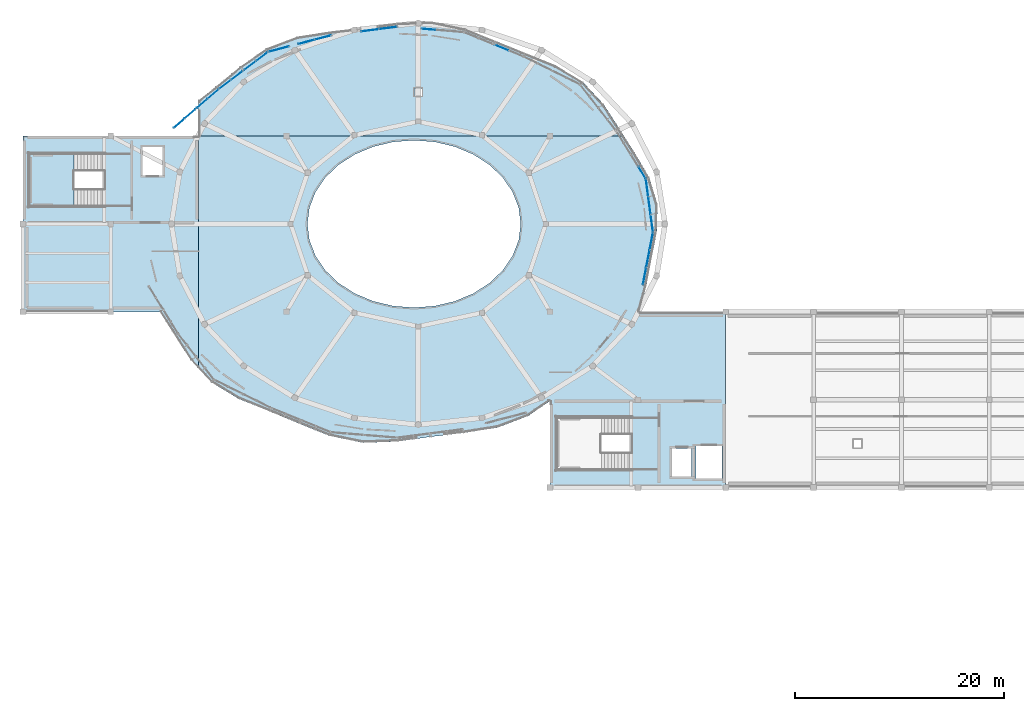
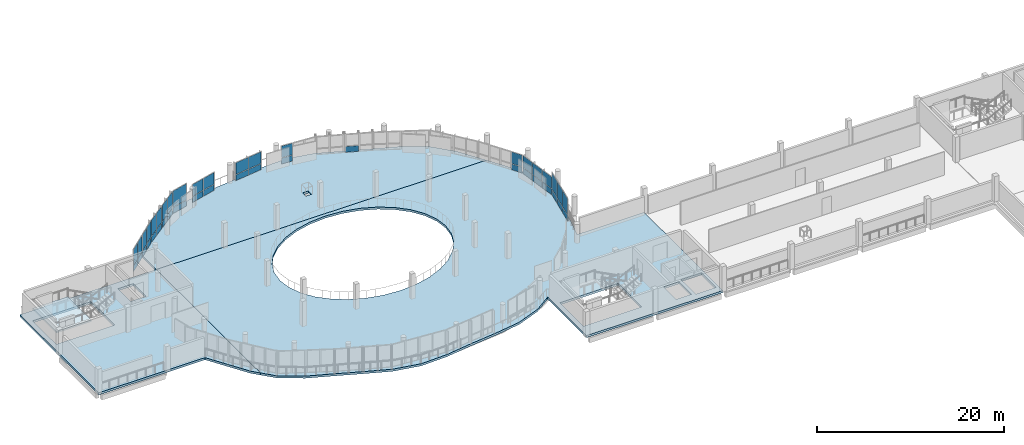
# One storey, part 28 of 43: 43 plates, 4 slabs, 13 elements without a shape of their own.
"""IFC4 building model written with IfcOpenShell, lengths in metres."""

from ifc_helpers import new_model, si_unit, derived_unit, direction, frame, origin, origin_2d, place, context, subcontext, project, spatial, polyline, rectangle, outline, extrude, material, layer, layer_set, type_object, element, aggregate, save


model = new_model("IFC4")

# Units and contexts
model_context = context("Model", 3, precision=1e-05, world=origin(), true_north=direction((0.0, 1.0)))
body_context = subcontext(model_context, "Body", "Model", "MODEL_VIEW")
ifc_project = project(units=[si_unit("LENGTHUNIT", "METRE"), si_unit("AREAUNIT", "SQUARE_METRE"), si_unit("VOLUMEUNIT", "CUBIC_METRE"), si_unit("PLANEANGLEUNIT", "RADIAN"), si_unit("MASSUNIT", "GRAM", prefix="KILO"), derived_unit("THERMALTRANSMITTANCEUNIT", [(si_unit("POWERUNIT", "WATT"), 1), (si_unit("LENGTHUNIT", "METRE"), -2), (si_unit("THERMODYNAMICTEMPERATUREUNIT", "KELVIN"), -1)])], contexts=[model_context])

# Site, building, storey
site_placement = place(None, origin())
site = spatial("IfcSite", under=ifc_project, at=site_placement, CompositionType="ELEMENT")
building_placement = place(site_placement, origin())
building = spatial("IfcBuilding", under=site, at=building_placement, Name="Elbkamm Science Centre", CompositionType="ELEMENT")
storey_placement = place(building_placement, frame((0.0, 0.0, 18.300048828125)))
storey = spatial("IfcBuildingStorey", under=building, at=storey_placement, Name="L04", CompositionType="ELEMENT", Elevation=18.300048828125)

# Curtain wall, plates
ifc_material_1 = material(Name="Powder-coated aluminium and triple low-E glazing", Category="aluminium")
ifc_layer_1 = layer(ifc_material_1, 0.159912109375)
ifc_layer_set_1 = layer_set([ifc_layer_1], Name="Powder-coated aluminium and triple low-E glazing")
curtain_wall_type_1 = type_object("IfcCurtainWallType", Name="CW-UNIT-5180x2460", PredefinedType="USERDEFINED", material=ifc_layer_set_1)
curtain_wall_1_placement = place(storey_placement, origin())
curtain_wall_1 = element("IfcCurtainWall", 1, at=curtain_wall_1_placement, inside=storey, type_object=curtain_wall_type_1, Name="L04 Unitised Curtain Wall 075", ObjectType="UNITISED CURTAIN WALL", PredefinedType="USERDEFINED")
ifc_material_2 = material(Name="Triple solar-control insulated safety glass", Category="glass")
ifc_layer_2 = layer(ifc_material_2, 0.031982421875)
ifc_layer_set_2 = layer_set([ifc_layer_2], Name="Triple solar-control insulated safety glass")
plate_type = type_object("IfcPlateType", Name="CW-PNL-32", PredefinedType="CURTAIN_PANEL", material=ifc_layer_set_2)
plate_1_placement = place(storey_placement, frame((85.333740234375, 67.26904296875, 0.06005859375), z_axis=(0.0, 0.0, 1.0), x_axis=(-0.132724873281, 0.991152918581, 0.0)))
plate_1 = element("IfcPlate", 2, at=plate_1_placement, type_object=plate_type, Name="CW-032 panel 1.1", PredefinedType="CURTAIN_PANEL", context=body_context, shape_type="SweptSolid", body=[
    extrude(rectangle(XDim=1.633544921875, YDim=0.031982421875, at=origin_2d()), origin(), (0.0, 0.0, 1.0), 0.760009765625),
])
plate_2_placement = place(storey_placement, frame((85.333740234375, 67.26904296875, 0.8798828125), z_axis=(0.0, 0.0, 1.0), x_axis=(-0.132724873281, 0.991152918581, 0.0)))
plate_2 = element("IfcPlate", 3, at=plate_2_placement, type_object=plate_type, Name="CW-032 panel 1.2", PredefinedType="CURTAIN_PANEL", context=body_context, shape_type="SweptSolid", body=[
    extrude(rectangle(XDim=1.633544921875, YDim=0.031982421875, at=origin_2d()), origin(), (0.0, 0.0, 1.0), 1.510009765625),
])
plate_3_placement = place(storey_placement, frame((85.10693359375, 68.962646484375, 0.06005859375), z_axis=(0.0, 0.0, 1.0), x_axis=(-0.132724873281, 0.991152918581, 0.0)))
plate_3 = element("IfcPlate", 4, at=plate_3_placement, type_object=plate_type, Name="CW-032 panel 2.1", PredefinedType="CURTAIN_PANEL", context=body_context, shape_type="SweptSolid", body=[
    extrude(rectangle(XDim=1.66357421875, YDim=0.031982421875, at=origin_2d()), origin(), (0.0, 0.0, 1.0), 0.760009765625),
])
plate_4_placement = place(storey_placement, frame((85.10693359375, 68.962646484375, 0.8798828125), z_axis=(0.0, 0.0, 1.0), x_axis=(-0.132724873281, 0.991152918581, 0.0)))
plate_4 = element("IfcPlate", 5, at=plate_4_placement, type_object=plate_type, Name="CW-032 panel 2.2", PredefinedType="CURTAIN_PANEL", context=body_context, shape_type="SweptSolid", body=[
    extrude(rectangle(XDim=1.66357421875, YDim=0.031982421875, at=origin_2d()), origin(), (0.0, 0.0, 1.0), 1.510009765625),
])
plate_5_placement = place(storey_placement, frame((84.880126953125, 70.656005859375, 0.06005859375), z_axis=(0.0, 0.0, 1.0), x_axis=(-0.132724873281, 0.991152918581, 0.0)))
plate_5 = element("IfcPlate", 6, at=plate_5_placement, type_object=plate_type, Name="CW-032 panel 3.1", PredefinedType="CURTAIN_PANEL", context=body_context, shape_type="SweptSolid", body=[
    extrude(rectangle(XDim=1.633544921875, YDim=0.031982421875, at=origin_2d()), origin(), (0.0, 0.0, 1.0), 0.760009765625),
])
plate_6_placement = place(storey_placement, frame((84.880126953125, 70.656005859375, 0.8798828125), z_axis=(0.0, 0.0, 1.0), x_axis=(-0.132724873281, 0.991152918581, 0.0)))
plate_6 = element("IfcPlate", 7, at=plate_6_placement, type_object=plate_type, Name="CW-032 panel 3.2", PredefinedType="CURTAIN_PANEL", context=body_context, shape_type="SweptSolid", body=[
    extrude(rectangle(XDim=1.633544921875, YDim=0.031982421875, at=origin_2d()), origin(), (0.0, 0.0, 1.0), 1.510009765625),
])
aggregate(curtain_wall_1, [plate_1, plate_2, plate_3, plate_4, plate_5, plate_6])

ifc_layer_3 = layer(ifc_material_1, 0.159912109375)
ifc_layer_set_3 = layer_set([ifc_layer_3], Name="Powder-coated aluminium and triple low-E glazing")
curtain_wall_type_2 = type_object("IfcCurtainWallType", Name="CW-UNIT-5360x2460", PredefinedType="USERDEFINED", material=ifc_layer_set_3)
curtain_wall_2_placement = place(storey_placement, origin())
curtain_wall_2 = element("IfcCurtainWall", 8, at=curtain_wall_2_placement, inside=storey, type_object=curtain_wall_type_2, Name="L04 Unitised Curtain Wall 076", ObjectType="UNITISED CURTAIN WALL", PredefinedType="USERDEFINED")
plate_7_placement = place(storey_placement, frame((84.403564453125, 72.10888671875, 0.06005859375), z_axis=(0.0, 0.0, 1.0), x_axis=(-0.524926723085, 0.85114742283, 0.0)))
plate_7 = element("IfcPlate", 9, at=plate_7_placement, type_object=plate_type, Name="CW-033 panel 1.1", PredefinedType="CURTAIN_PANEL", context=body_context, shape_type="SweptSolid", body=[
    extrude(rectangle(XDim=1.251708984375, YDim=0.031982421875, at=origin_2d()), origin(), (0.0, 0.0, 1.0), 0.760009765625),
])
plate_8_placement = place(storey_placement, frame((84.403564453125, 72.10888671875, 0.8798828125), z_axis=(0.0, 0.0, 1.0), x_axis=(-0.524926723085, 0.85114742283, 0.0)))
plate_8 = element("IfcPlate", 10, at=plate_8_placement, type_object=plate_type, Name="CW-033 panel 1.2", PredefinedType="CURTAIN_PANEL", context=body_context, shape_type="SweptSolid", body=[
    extrude(rectangle(XDim=1.251708984375, YDim=0.031982421875, at=origin_2d()), origin(), (0.0, 0.0, 1.0), 1.510009765625),
])
aggregate(curtain_wall_2, [plate_7, plate_8])

# Curtain wall, plate
ifc_layer_4 = layer(ifc_material_1, 0.159912109375)
ifc_layer_set_4 = layer_set([ifc_layer_4], Name="Powder-coated aluminium and triple low-E glazing")
curtain_wall_type_3 = type_object("IfcCurtainWallType", Name="CW-UNIT-3060x2460", PredefinedType="USERDEFINED", material=ifc_layer_set_4)
curtain_wall_3_placement = place(storey_placement, origin())
curtain_wall_3 = element("IfcCurtainWall", 11, at=curtain_wall_3_placement, inside=storey, type_object=curtain_wall_type_3, Name="L04 Unitised Curtain Wall 080", ObjectType="UNITISED CURTAIN WALL", PredefinedType="USERDEFINED")
plate_9_placement = place(storey_placement, frame((70.98779296875, 84.049072265625, 0.06005859375), z_axis=(0.0, 0.0, 1.0), x_axis=(-0.925805063176, 0.378001302905, 0.0)))
plate_9 = element("IfcPlate", 12, at=plate_9_placement, type_object=plate_type, Name="CW-036 panel 2.1", PredefinedType="CURTAIN_PANEL", context=body_context, shape_type="SweptSolid", body=[
    extrude(rectangle(XDim=1.436279296875, YDim=0.031982421875, at=origin_2d()), origin(), (0.0, 0.0, 1.0), 0.760009765625),
])
aggregate(curtain_wall_3, [plate_9])

# Curtain wall, plates
ifc_layer_5 = layer(ifc_material_1, 0.159912109375)
ifc_layer_set_5 = layer_set([ifc_layer_5], Name="Powder-coated aluminium and triple low-E glazing")
curtain_wall_type_4 = type_object("IfcCurtainWallType", Name="CW-UNIT-4080x2460", PredefinedType="USERDEFINED", material=ifc_layer_set_5)
curtain_wall_4_placement = place(storey_placement, origin())
curtain_wall_4 = element("IfcCurtainWall", 13, at=curtain_wall_4_placement, inside=storey, type_object=curtain_wall_type_4, Name="L04 Unitised Curtain Wall 082", ObjectType="UNITISED CURTAIN WALL", PredefinedType="USERDEFINED")
plate_10_placement = place(storey_placement, frame((63.99365234375, 85.80419921875, 0.06005859375), z_axis=(0.0, 0.0, 1.0), x_axis=(-0.996648257445, 0.081806179051, 0.0)))
plate_10 = element("IfcPlate", 14, at=plate_10_placement, type_object=plate_type, Name="CW-037 panel 3.1", PredefinedType="CURTAIN_PANEL", context=body_context, shape_type="SweptSolid", body=[
    extrude(rectangle(XDim=1.27001953125, YDim=0.031982421875, at=origin_2d()), origin(), (0.0, 0.0, 1.0), 0.760009765625),
])
plate_11_placement = place(storey_placement, frame((63.99365234375, 85.80419921875, 0.8798828125), z_axis=(0.0, 0.0, 1.0), x_axis=(-0.996648257445, 0.081806179051, 0.0)))
plate_11 = element("IfcPlate", 15, at=plate_11_placement, type_object=plate_type, Name="CW-037 panel 3.2", PredefinedType="CURTAIN_PANEL", context=body_context, shape_type="SweptSolid", body=[
    extrude(rectangle(XDim=1.27001953125, YDim=0.031982421875, at=origin_2d()), origin(), (0.0, 0.0, 1.0), 1.510009765625),
])
aggregate(curtain_wall_4, [plate_10, plate_11])

ifc_layer_6 = layer(ifc_material_1, 0.159912109375)
ifc_layer_set_6 = layer_set([ifc_layer_6], Name="Powder-coated aluminium and triple low-E glazing")
curtain_wall_type_5 = type_object("IfcCurtainWallType", Name="CW-UNIT-3540x2460", PredefinedType="USERDEFINED", material=ifc_layer_set_6)
curtain_wall_5_placement = place(storey_placement, origin())
curtain_wall_5 = element("IfcCurtainWall", 16, at=curtain_wall_5_placement, inside=storey, type_object=curtain_wall_type_5, Name="L04 Unitised Curtain Wall 083", ObjectType="UNITISED CURTAIN WALL", PredefinedType="USERDEFINED")
plate_12_placement = place(storey_placement, frame((60.10791015625, 85.93408203125, 0.06005859375), z_axis=(0.0, 0.0, 1.0), x_axis=(-0.991677134975, -0.128749601818, 0.0)))
plate_12 = element("IfcPlate", 17, at=plate_12_placement, type_object=plate_type, Name="CW-038 panel 1.1", PredefinedType="CURTAIN_PANEL", context=body_context, shape_type="SweptSolid", body=[
    extrude(rectangle(XDim=1.679443359375, YDim=0.031982421875, at=origin_2d()), origin(), (0.0, 0.0, 1.0), 0.760009765625),
])
plate_13_placement = place(storey_placement, frame((60.10791015625, 85.93408203125, 0.8798828125), z_axis=(0.0, 0.0, 1.0), x_axis=(-0.991677134975, -0.128749601818, 0.0)))
plate_13 = element("IfcPlate", 18, at=plate_13_placement, type_object=plate_type, Name="CW-038 panel 1.2", PredefinedType="CURTAIN_PANEL", context=body_context, shape_type="SweptSolid", body=[
    extrude(rectangle(XDim=1.679443359375, YDim=0.031982421875, at=origin_2d()), origin(), (0.0, 0.0, 1.0), 1.510009765625),
])
plate_14_placement = place(storey_placement, frame((58.383056640625, 85.710205078125, 0.06005859375), z_axis=(0.0, 0.0, 1.0), x_axis=(-0.991677134975, -0.128749601818, 0.0)))
plate_14 = element("IfcPlate", 19, at=plate_14_placement, type_object=plate_type, Name="CW-038 panel 2.1", PredefinedType="CURTAIN_PANEL", context=body_context, shape_type="SweptSolid", body=[
    extrude(rectangle(XDim=1.679443359375, YDim=0.031982421875, at=origin_2d()), origin(), (0.0, 0.0, 1.0), 0.760009765625),
])
plate_15_placement = place(storey_placement, frame((58.383056640625, 85.710205078125, 0.8798828125), z_axis=(0.0, 0.0, 1.0), x_axis=(-0.991677134975, -0.128749601818, 0.0)))
plate_15 = element("IfcPlate", 20, at=plate_15_placement, type_object=plate_type, Name="CW-038 panel 2.2", PredefinedType="CURTAIN_PANEL", context=body_context, shape_type="SweptSolid", body=[
    extrude(rectangle(XDim=1.679443359375, YDim=0.031982421875, at=origin_2d()), origin(), (0.0, 0.0, 1.0), 1.510009765625),
])
aggregate(curtain_wall_5, [plate_12, plate_13, plate_14, plate_15])

ifc_layer_7 = layer(ifc_material_1, 0.159912109375)
ifc_layer_set_7 = layer_set([ifc_layer_7], Name="Powder-coated aluminium and triple low-E glazing")
curtain_wall_type_6 = type_object("IfcCurtainWallType", Name="CW-UNIT-3360x2460", PredefinedType="USERDEFINED", material=ifc_layer_set_7)
curtain_wall_6_placement = place(storey_placement, origin())
curtain_wall_6 = element("IfcCurtainWall", 21, at=curtain_wall_6_placement, inside=storey, type_object=curtain_wall_type_6, Name="L04 Unitised Curtain Wall 084", ObjectType="UNITISED CURTAIN WALL", PredefinedType="USERDEFINED")
plate_16_placement = place(storey_placement, frame((53.8857421875, 85.017578125, 0.06005859375), z_axis=(0.0, 0.0, 1.0), x_axis=(-0.967409806709, -0.253215848405, 0.0)))
plate_16 = element("IfcPlate", 22, at=plate_16_placement, type_object=plate_type, Name="CW-039 panel 1.1", PredefinedType="CURTAIN_PANEL", context=body_context, shape_type="SweptSolid", body=[
    extrude(rectangle(XDim=1.58642578125, YDim=0.031982421875, at=origin_2d()), origin(), (0.0, 0.0, 1.0), 0.760009765625),
])
plate_17_placement = place(storey_placement, frame((53.8857421875, 85.017578125, 0.8798828125), z_axis=(0.0, 0.0, 1.0), x_axis=(-0.967409806709, -0.253215848405, 0.0)))
plate_17 = element("IfcPlate", 23, at=plate_17_placement, type_object=plate_type, Name="CW-039 panel 1.2", PredefinedType="CURTAIN_PANEL", context=body_context, shape_type="SweptSolid", body=[
    extrude(rectangle(XDim=1.58642578125, YDim=0.031982421875, at=origin_2d()), origin(), (0.0, 0.0, 1.0), 1.510009765625),
])
plate_18_placement = place(storey_placement, frame((52.29296875, 84.6005859375, 0.06005859375), z_axis=(0.0, 0.0, 1.0), x_axis=(-0.967409806709, -0.253215848405, 0.0)))
plate_18 = element("IfcPlate", 24, at=plate_18_placement, type_object=plate_type, Name="CW-039 panel 2.1", PredefinedType="CURTAIN_PANEL", context=body_context, shape_type="SweptSolid", body=[
    extrude(rectangle(XDim=1.58642578125, YDim=0.031982421875, at=origin_2d()), origin(), (0.0, 0.0, 1.0), 0.760009765625),
])
plate_19_placement = place(storey_placement, frame((52.29296875, 84.6005859375, 0.8798828125), z_axis=(0.0, 0.0, 1.0), x_axis=(-0.967409806709, -0.253215848405, 0.0)))
plate_19 = element("IfcPlate", 25, at=plate_19_placement, type_object=plate_type, Name="CW-039 panel 2.2", PredefinedType="CURTAIN_PANEL", context=body_context, shape_type="SweptSolid", body=[
    extrude(rectangle(XDim=1.58642578125, YDim=0.031982421875, at=origin_2d()), origin(), (0.0, 0.0, 1.0), 1.510009765625),
])
aggregate(curtain_wall_6, [plate_16, plate_17, plate_18, plate_19])

ifc_layer_8 = layer(ifc_material_1, 0.159912109375)
ifc_layer_set_8 = layer_set([ifc_layer_8], Name="Powder-coated aluminium and triple low-E glazing")
curtain_wall_type_7 = type_object("IfcCurtainWallType", Name="CW-UNIT-2120x3040", PredefinedType="USERDEFINED", material=ifc_layer_set_8)
curtain_wall_7_placement = place(storey_placement, origin())
curtain_wall_7 = element("IfcCurtainWall", 26, at=curtain_wall_7_placement, inside=storey, type_object=curtain_wall_type_7, Name="L04 Unitised Curtain Wall 085", ObjectType="UNITISED CURTAIN WALL", PredefinedType="USERDEFINED")
plate_20_placement = place(storey_placement, frame((49.667724609375, 83.91357421875, 0.06005859375), z_axis=(0.0, 0.0, 1.0), x_axis=(-0.967411343086, -0.25320997861, 0.0)))
plate_20 = element("IfcPlate", 27, at=plate_20_placement, type_object=plate_type, Name="CW-040 panel 1.1", PredefinedType="CURTAIN_PANEL", context=body_context, shape_type="SweptSolid", body=[
    extrude(rectangle(XDim=1.99755859375, YDim=0.031982421875, at=origin_2d()), origin(), (0.0, 0.0, 1.0), 0.760009765625),
])
plate_21_placement = place(storey_placement, frame((49.667724609375, 83.91357421875, 0.8798828125), z_axis=(0.0, 0.0, 1.0), x_axis=(-0.967411343086, -0.25320997861, 0.0)))
plate_21 = element("IfcPlate", 28, at=plate_21_placement, type_object=plate_type, Name="CW-040 panel 1.2", PredefinedType="CURTAIN_PANEL", context=body_context, shape_type="SweptSolid", body=[
    extrude(rectangle(XDim=1.99755859375, YDim=0.031982421875, at=origin_2d()), origin(), (0.0, 0.0, 1.0), 2.10009765625),
])
aggregate(curtain_wall_7, [plate_20, plate_21])

ifc_layer_9 = layer(ifc_material_1, 0.159912109375)
ifc_layer_set_9 = layer_set([ifc_layer_9], Name="Powder-coated aluminium and triple low-E glazing")
curtain_wall_type_8 = type_object("IfcCurtainWallType", Name="CW-UNIT-2920x3040", PredefinedType="USERDEFINED", material=ifc_layer_set_9)
curtain_wall_8_placement = place(storey_placement, origin())
curtain_wall_8 = element("IfcCurtainWall", 29, at=curtain_wall_8_placement, inside=storey, type_object=curtain_wall_type_8, Name="L04 Unitised Curtain Wall 086", ObjectType="UNITISED CURTAIN WALL", PredefinedType="USERDEFINED")
plate_22_placement = place(storey_placement, frame((48.0498046875, 83.19677734375, 0.06005859375), z_axis=(0.0, 0.0, 1.0), x_axis=(-0.797743806823, -0.602996532888, 0.0)))
plate_22 = element("IfcPlate", 30, at=plate_22_placement, type_object=plate_type, Name="CW-041 panel 1.1", PredefinedType="CURTAIN_PANEL", context=body_context, shape_type="SweptSolid", body=[
    extrude(rectangle(XDim=1.368408203125, YDim=0.031982421875, at=origin_2d()), origin(), (0.0, 0.0, 1.0), 0.760009765625),
])
plate_23_placement = place(storey_placement, frame((48.0498046875, 83.19677734375, 0.8798828125), z_axis=(0.0, 0.0, 1.0), x_axis=(-0.797743806823, -0.602996532888, 0.0)))
plate_23 = element("IfcPlate", 31, at=plate_23_placement, type_object=plate_type, Name="CW-041 panel 1.2", PredefinedType="CURTAIN_PANEL", context=body_context, shape_type="SweptSolid", body=[
    extrude(rectangle(XDim=1.368408203125, YDim=0.031982421875, at=origin_2d()), origin(), (0.0, 0.0, 1.0), 2.10009765625),
])
plate_24_placement = place(storey_placement, frame((46.910400390625, 82.33544921875, 0.06005859375), z_axis=(0.0, 0.0, 1.0), x_axis=(-0.797743806823, -0.602996532888, 0.0)))
plate_24 = element("IfcPlate", 32, at=plate_24_placement, type_object=plate_type, Name="CW-041 panel 2.1", PredefinedType="CURTAIN_PANEL", context=body_context, shape_type="SweptSolid", body=[
    extrude(rectangle(XDim=1.368408203125, YDim=0.031982421875, at=origin_2d()), origin(), (0.0, 0.0, 1.0), 0.760009765625),
])
plate_25_placement = place(storey_placement, frame((46.910400390625, 82.33544921875, 0.8798828125), z_axis=(0.0, 0.0, 1.0), x_axis=(-0.797743806823, -0.602996532888, 0.0)))
plate_25 = element("IfcPlate", 33, at=plate_25_placement, type_object=plate_type, Name="CW-041 panel 2.2", PredefinedType="CURTAIN_PANEL", context=body_context, shape_type="SweptSolid", body=[
    extrude(rectangle(XDim=1.368408203125, YDim=0.031982421875, at=origin_2d()), origin(), (0.0, 0.0, 1.0), 2.10009765625),
])
aggregate(curtain_wall_8, [plate_22, plate_23, plate_24, plate_25])

curtain_wall_9_placement = place(storey_placement, origin())
curtain_wall_9 = element("IfcCurtainWall", 34, at=curtain_wall_9_placement, inside=storey, type_object=curtain_wall_type_8, Name="L04 Unitised Curtain Wall 087", ObjectType="UNITISED CURTAIN WALL", PredefinedType="USERDEFINED")
plate_26_placement = place(storey_placement, frame((45.6591796875, 81.3896484375, 0.06005859375), z_axis=(0.0, 0.0, 1.0), x_axis=(-0.797743806823, -0.602996532888, 0.0)))
plate_26 = element("IfcPlate", 35, at=plate_26_placement, type_object=plate_type, Name="CW-041 panel 1.1", PredefinedType="CURTAIN_PANEL", context=body_context, shape_type="SweptSolid", body=[
    extrude(rectangle(XDim=1.368408203125, YDim=0.031982421875, at=origin_2d()), origin(), (0.0, 0.0, 1.0), 0.760009765625),
])
plate_27_placement = place(storey_placement, frame((45.6591796875, 81.3896484375, 0.8798828125), z_axis=(0.0, 0.0, 1.0), x_axis=(-0.797743806823, -0.602996532888, 0.0)))
plate_27 = element("IfcPlate", 36, at=plate_27_placement, type_object=plate_type, Name="CW-041 panel 1.2", PredefinedType="CURTAIN_PANEL", context=body_context, shape_type="SweptSolid", body=[
    extrude(rectangle(XDim=1.368408203125, YDim=0.031982421875, at=origin_2d()), origin(), (0.0, 0.0, 1.0), 2.10009765625),
])
plate_28_placement = place(storey_placement, frame((44.519775390625, 80.5283203125, 0.06005859375), z_axis=(0.0, 0.0, 1.0), x_axis=(-0.797743806823, -0.602996532888, 0.0)))
plate_28 = element("IfcPlate", 37, at=plate_28_placement, type_object=plate_type, Name="CW-041 panel 2.1", PredefinedType="CURTAIN_PANEL", context=body_context, shape_type="SweptSolid", body=[
    extrude(rectangle(XDim=1.368408203125, YDim=0.031982421875, at=origin_2d()), origin(), (0.0, 0.0, 1.0), 0.760009765625),
])
plate_29_placement = place(storey_placement, frame((44.519775390625, 80.5283203125, 0.8798828125), z_axis=(0.0, 0.0, 1.0), x_axis=(-0.797743806823, -0.602996532888, 0.0)))
plate_29 = element("IfcPlate", 38, at=plate_29_placement, type_object=plate_type, Name="CW-041 panel 2.2", PredefinedType="CURTAIN_PANEL", context=body_context, shape_type="SweptSolid", body=[
    extrude(rectangle(XDim=1.368408203125, YDim=0.031982421875, at=origin_2d()), origin(), (0.0, 0.0, 1.0), 2.10009765625),
])
aggregate(curtain_wall_9, [plate_26, plate_27, plate_28, plate_29])

ifc_layer_10 = layer(ifc_material_1, 0.159912109375)
ifc_layer_set_10 = layer_set([ifc_layer_10], Name="Powder-coated aluminium and triple low-E glazing")
curtain_wall_type_9 = type_object("IfcCurtainWallType", Name="CW-UNIT-2820x3040", PredefinedType="USERDEFINED", material=ifc_layer_set_10)
curtain_wall_10_placement = place(storey_placement, origin())
curtain_wall_10 = element("IfcCurtainWall", 39, at=curtain_wall_10_placement, inside=storey, type_object=curtain_wall_type_9, Name="L04 Unitised Curtain Wall 088", ObjectType="UNITISED CURTAIN WALL", PredefinedType="USERDEFINED")
plate_30_placement = place(storey_placement, frame((43.38134765625, 79.611083984375, 0.06005859375), z_axis=(0.0, 0.0, 1.0), x_axis=(-0.758124422687, -0.652109929172, 0.0)))
plate_30 = element("IfcPlate", 40, at=plate_30_placement, type_object=plate_type, Name="CW-042 panel 1.1", PredefinedType="CURTAIN_PANEL", context=body_context, shape_type="SweptSolid", body=[
    extrude(rectangle(XDim=1.3173828125, YDim=0.031982421875, at=origin_2d()), origin(), (0.0, 0.0, 1.0), 0.760009765625),
])
plate_31_placement = place(storey_placement, frame((43.38134765625, 79.611083984375, 0.8798828125), z_axis=(0.0, 0.0, 1.0), x_axis=(-0.758124422687, -0.652109929172, 0.0)))
plate_31 = element("IfcPlate", 41, at=plate_31_placement, type_object=plate_type, Name="CW-042 panel 1.2", PredefinedType="CURTAIN_PANEL", context=body_context, shape_type="SweptSolid", body=[
    extrude(rectangle(XDim=1.3173828125, YDim=0.031982421875, at=origin_2d()), origin(), (0.0, 0.0, 1.0), 2.10009765625),
])
plate_32_placement = place(storey_placement, frame((42.337158203125, 78.712890625, 0.06005859375), z_axis=(0.0, 0.0, 1.0), x_axis=(-0.758124422687, -0.652109929172, 0.0)))
plate_32 = element("IfcPlate", 42, at=plate_32_placement, type_object=plate_type, Name="CW-042 panel 2.1", PredefinedType="CURTAIN_PANEL", context=body_context, shape_type="SweptSolid", body=[
    extrude(rectangle(XDim=1.3173828125, YDim=0.031982421875, at=origin_2d()), origin(), (0.0, 0.0, 1.0), 0.760009765625),
])
plate_33_placement = place(storey_placement, frame((42.337158203125, 78.712890625, 0.8798828125), z_axis=(0.0, 0.0, 1.0), x_axis=(-0.758124422687, -0.652109929172, 0.0)))
plate_33 = element("IfcPlate", 43, at=plate_33_placement, type_object=plate_type, Name="CW-042 panel 2.2", PredefinedType="CURTAIN_PANEL", context=body_context, shape_type="SweptSolid", body=[
    extrude(rectangle(XDim=1.3173828125, YDim=0.031982421875, at=origin_2d()), origin(), (0.0, 0.0, 1.0), 2.10009765625),
])
aggregate(curtain_wall_10, [plate_30, plate_31, plate_32, plate_33])

curtain_wall_11_placement = place(storey_placement, origin())
curtain_wall_11 = element("IfcCurtainWall", 44, at=curtain_wall_11_placement, inside=storey, type_object=curtain_wall_type_9, Name="L04 Unitised Curtain Wall 089", ObjectType="UNITISED CURTAIN WALL", PredefinedType="USERDEFINED")
plate_34_placement = place(storey_placement, frame((41.186767578125, 77.723388671875, 0.06005859375), z_axis=(0.0, 0.0, 1.0), x_axis=(-0.758124422687, -0.652109929172, 0.0)))
plate_34 = element("IfcPlate", 45, at=plate_34_placement, type_object=plate_type, Name="CW-042 panel 1.1", PredefinedType="CURTAIN_PANEL", context=body_context, shape_type="SweptSolid", body=[
    extrude(rectangle(XDim=1.3173828125, YDim=0.031982421875, at=origin_2d()), origin(), (0.0, 0.0, 1.0), 0.760009765625),
])
plate_35_placement = place(storey_placement, frame((41.186767578125, 77.723388671875, 0.8798828125), z_axis=(0.0, 0.0, 1.0), x_axis=(-0.758124422687, -0.652109929172, 0.0)))
plate_35 = element("IfcPlate", 46, at=plate_35_placement, type_object=plate_type, Name="CW-042 panel 1.2", PredefinedType="CURTAIN_PANEL", context=body_context, shape_type="SweptSolid", body=[
    extrude(rectangle(XDim=1.3173828125, YDim=0.031982421875, at=origin_2d()), origin(), (0.0, 0.0, 1.0), 2.10009765625),
])
plate_36_placement = place(storey_placement, frame((40.142578125, 76.8251953125, 0.06005859375), z_axis=(0.0, 0.0, 1.0), x_axis=(-0.758124422687, -0.652109929172, 0.0)))
plate_36 = element("IfcPlate", 47, at=plate_36_placement, type_object=plate_type, Name="CW-042 panel 2.1", PredefinedType="CURTAIN_PANEL", context=body_context, shape_type="SweptSolid", body=[
    extrude(rectangle(XDim=1.3173828125, YDim=0.031982421875, at=origin_2d()), origin(), (0.0, 0.0, 1.0), 0.760009765625),
])
plate_37_placement = place(storey_placement, frame((40.142578125, 76.8251953125, 0.8798828125), z_axis=(0.0, 0.0, 1.0), x_axis=(-0.758124422687, -0.652109929172, 0.0)))
plate_37 = element("IfcPlate", 48, at=plate_37_placement, type_object=plate_type, Name="CW-042 panel 2.2", PredefinedType="CURTAIN_PANEL", context=body_context, shape_type="SweptSolid", body=[
    extrude(rectangle(XDim=1.3173828125, YDim=0.031982421875, at=origin_2d()), origin(), (0.0, 0.0, 1.0), 2.10009765625),
])
aggregate(curtain_wall_11, [plate_34, plate_35, plate_36, plate_37])

ifc_layer_11 = layer(ifc_material_1, 0.159912109375)
ifc_layer_set_11 = layer_set([ifc_layer_11], Name="Powder-coated aluminium and triple low-E glazing")
curtain_wall_type_10 = type_object("IfcCurtainWallType", Name="CW-UNIT-5140x3040", PredefinedType="USERDEFINED", material=ifc_layer_set_11)
curtain_wall_12_placement = place(storey_placement, origin())
curtain_wall_12 = element("IfcCurtainWall", 49, at=curtain_wall_12_placement, inside=storey, type_object=curtain_wall_type_10, Name="L04 Unitised Curtain Wall 101", ObjectType="UNITISED CURTAIN WALL", PredefinedType="USERDEFINED")
plate_38_placement = place(storey_placement, frame((84.63623046875, 62.209228515625, 0.06005859375), z_axis=(0.0, 0.0, 1.0), x_axis=(0.190614009116, 0.981665064841, 0.0)))
plate_38 = element("IfcPlate", 50, at=plate_38_placement, type_object=plate_type, Name="CW-050 panel 1.1", PredefinedType="CURTAIN_PANEL", context=body_context, shape_type="SweptSolid", body=[
    extrude(rectangle(XDim=1.62353515625, YDim=0.031982421875, at=origin_2d()), origin(), (0.0, 0.0, 1.0), 0.760009765625),
])
plate_39_placement = place(storey_placement, frame((84.63623046875, 62.209228515625, 0.8798828125), z_axis=(0.0, 0.0, 1.0), x_axis=(0.190614009116, 0.981665064841, 0.0)))
plate_39 = element("IfcPlate", 51, at=plate_39_placement, type_object=plate_type, Name="CW-050 panel 1.2", PredefinedType="CURTAIN_PANEL", context=body_context, shape_type="SweptSolid", body=[
    extrude(rectangle(XDim=1.62353515625, YDim=0.031982421875, at=origin_2d()), origin(), (0.0, 0.0, 1.0), 2.10009765625),
])
plate_40_placement = place(storey_placement, frame((84.9599609375, 63.876708984375, 0.06005859375), z_axis=(0.0, 0.0, 1.0), x_axis=(0.190614009116, 0.981665064841, 0.0)))
plate_40 = element("IfcPlate", 52, at=plate_40_placement, type_object=plate_type, Name="CW-050 panel 2.1", PredefinedType="CURTAIN_PANEL", context=body_context, shape_type="SweptSolid", body=[
    extrude(rectangle(XDim=1.653564453125, YDim=0.031982421875, at=origin_2d()), origin(), (0.0, 0.0, 1.0), 0.760009765625),
])
plate_41_placement = place(storey_placement, frame((84.9599609375, 63.876708984375, 0.8798828125), z_axis=(0.0, 0.0, 1.0), x_axis=(0.190614009116, 0.981665064841, 0.0)))
plate_41 = element("IfcPlate", 53, at=plate_41_placement, type_object=plate_type, Name="CW-050 panel 2.2", PredefinedType="CURTAIN_PANEL", context=body_context, shape_type="SweptSolid", body=[
    extrude(rectangle(XDim=1.653564453125, YDim=0.031982421875, at=origin_2d()), origin(), (0.0, 0.0, 1.0), 2.10009765625),
])
plate_42_placement = place(storey_placement, frame((85.283935546875, 65.544189453125, 0.06005859375), z_axis=(0.0, 0.0, 1.0), x_axis=(0.190614009116, 0.981665064841, 0.0)))
plate_42 = element("IfcPlate", 54, at=plate_42_placement, type_object=plate_type, Name="CW-050 panel 3.1", PredefinedType="CURTAIN_PANEL", context=body_context, shape_type="SweptSolid", body=[
    extrude(rectangle(XDim=1.62353515625, YDim=0.031982421875, at=origin_2d()), origin(), (0.0, 0.0, 1.0), 0.760009765625),
])
plate_43_placement = place(storey_placement, frame((85.283935546875, 65.544189453125, 0.8798828125), z_axis=(0.0, 0.0, 1.0), x_axis=(0.190614009116, 0.981665064841, 0.0)))
plate_43 = element("IfcPlate", 55, at=plate_43_placement, type_object=plate_type, Name="CW-050 panel 3.2", PredefinedType="CURTAIN_PANEL", context=body_context, shape_type="SweptSolid", body=[
    extrude(rectangle(XDim=1.62353515625, YDim=0.031982421875, at=origin_2d()), origin(), (0.0, 0.0, 1.0), 2.10009765625),
])
aggregate(curtain_wall_12, [plate_38, plate_39, plate_40, plate_41, plate_42, plate_43])

# Slabs
ifc_material_3 = material(Name="Reinforced concrete C40/50", Category="concrete")
ifc_layer_12 = layer(ifc_material_3, 0.280029296875)
ifc_layer_set_12 = layer_set([ifc_layer_12], Name="Reinforced concrete C40/50")
slab_type_1 = type_object("IfcSlabType", Name="SLAB-FLR-280", PredefinedType="FLOOR", material=ifc_layer_set_12)
slab_1_placement = place(storey_placement, frame((0.0, 0.0, -0.280029296875)))
element("IfcSlab", 56, at=slab_1_placement, inside=storey, type_object=slab_type_1, Name="L04 Structural Slab WM-01", PredefinedType="FLOOR", context=body_context, shape_type="SweptSolid", body=[
    extrude(outline(polyline([(41.262451171875, 54.177001953125), (39.75048828125, 56.531494140625), (38.3046875, 58.800048828125), (25.199951171875, 58.800048828125), (25.199951171875, 67.199951171875), (25.199951171875, 75.60009765625), (38.748046875, 75.60009765625), (42.0, 75.60009765625), (42.0, 53.384521484375), (41.262451171875, 54.177001953125)]), holes=[polyline([(25.800048828125, 68.8798828125), (32.97998046875, 68.8798828125), (32.97998046875, 73.919921875), (25.800048828125, 73.919921875), (25.800048828125, 68.8798828125)]), polyline([(36.64990234375, 71.85009765625), (38.550048828125, 71.85009765625), (38.550048828125, 74.550048828125), (36.64990234375, 74.550048828125), (36.64990234375, 71.85009765625)])]), origin(), (0.0, 0.0, 1.0), 0.280029296875),
])
slab_2_placement = place(storey_placement, frame((0.0, 0.0, -0.280029296875)))
element("IfcSlab", 57, at=slab_2_placement, inside=storey, type_object=slab_type_1, Name="L04 Structural Slab CM-02", PredefinedType="FLOOR", context=body_context, shape_type="SweptSolid", body=[
    extrude(outline(polyline([(45.854736328125, 50.470458984375), (43.248779296875, 52.04296875), (42.0, 53.384521484375), (42.0, 75.60009765625), (82.675537109375, 75.60009765625), (83.713623046875, 73.971435546875), (85.101806640625, 71.61572265625), (85.87890625, 69.048828125), (85.800048828125, 66.39990234375), (85.296630859375, 63.827880859375), (84.80810546875, 61.262939453125), (84.147216796875, 58.800048828125), (92.39990234375, 58.800048828125), (92.39990234375, 42.0), (75.60009765625, 42.0), (75.60009765625, 50.2841796875), (73.531494140625, 48.8515625), (70.57275390625, 47.723876953125), (67.37939453125, 47.228271484375), (64.19873046875, 46.8623046875), (61.0, 46.39990234375), (57.724609375, 46.280029296875), (54.5419921875, 46.934814453125), (51.591796875, 48.12109375), (48.731689453125, 49.3076171875), (45.854736328125, 50.470458984375)]), holes=[polyline([(52.39990234375, 67.199951171875), (52.595947265625, 65.639404296875), (53.176513671875, 64.138427734375), (54.118896484375, 62.75537109375), (55.387451171875, 61.543212890625), (56.93310546875, 60.548095703125), (58.696533203125, 59.80908203125), (60.610107421875, 59.353759765625), (62.60009765625, 59.199951171875), (64.58984375, 59.353759765625), (66.50341796875, 59.80908203125), (68.266845703125, 60.548095703125), (69.8125, 61.543212890625), (71.0810546875, 62.75537109375), (72.023681640625, 64.138427734375), (72.60400390625, 65.639404296875), (72.800048828125, 67.199951171875), (72.60400390625, 68.7607421875), (72.023681640625, 70.261474609375), (71.0810546875, 71.64453125), (69.8125, 72.85693359375), (68.266845703125, 73.851806640625), (66.50341796875, 74.591064453125), (64.58984375, 75.04638671875), (62.60009765625, 75.199951171875), (60.610107421875, 75.04638671875), (58.696533203125, 74.591064453125), (56.93310546875, 73.851806640625), (55.387451171875, 72.85693359375), (54.118896484375, 71.64453125), (53.176513671875, 70.261474609375), (52.595947265625, 68.7607421875), (52.39990234375, 67.199951171875)]), polyline([(83.3798828125, 48.719970703125), (76.199951171875, 48.719970703125), (76.199951171875, 43.679931640625), (83.3798828125, 43.679931640625), (83.3798828125, 48.719970703125)]), polyline([(89.14990234375, 45.75), (87.25, 45.75), (87.25, 43.050048828125), (89.14990234375, 43.050048828125), (89.14990234375, 45.75)]), polyline([(92.050048828125, 42.85009765625), (92.050048828125, 45.949951171875), (89.550048828125, 45.949951171875), (89.550048828125, 42.85009765625), (92.050048828125, 42.85009765625)])]), origin(), (0.0, 0.0, 1.0), 0.280029296875),
])
slab_3_placement = place(storey_placement, frame((0.0, 0.0, -0.280029296875)))
element("IfcSlab", 58, at=slab_3_placement, inside=storey, type_object=slab_type_1, Name="L04 Structural Slab CN-03", PredefinedType="FLOOR", context=body_context, shape_type="SweptSolid", body=[
    extrude(outline(polyline([(45.95068359375, 82.20458984375), (48.468505859375, 83.948486328125), (51.42724609375, 85.076171875), (54.62060546875, 85.57177734375), (57.80126953125, 85.937744140625), (61.0, 86.39990234375), (64.275390625, 86.52001953125), (67.4580078125, 85.865234375), (70.408203125, 84.678955078125), (73.268310546875, 83.492431640625), (76.145263671875, 82.32958984375), (78.751220703125, 80.757080078125), (80.737548828125, 78.623046875), (82.24951171875, 76.268310546875), (82.675537109375, 75.60009765625), (42.0, 75.60009765625), (42.0, 79.008544921875), (43.6787109375, 80.3271484375), (45.95068359375, 82.20458984375)]), holes=[polyline([(63.35009765625, 80.14990234375), (62.64990234375, 80.14990234375), (62.64990234375, 79.449951171875), (63.35009765625, 79.449951171875), (63.35009765625, 80.14990234375)])]), origin(), (0.0, 0.0, 1.0), 0.280029296875),
])

# Stair, slab
stair_type = type_object("IfcStairType", Name="ST-TWO-20R-165", PredefinedType="USERDEFINED", material=ifc_material_3)
stair_placement = place(storey_placement, origin())
stair = element("IfcStair", 59, at=stair_placement, inside=storey, type_object=stair_type, Name="L04 Core C1 Northwest Planetarium and Exhibition Core Escape Stair", ObjectType="TWO_RETURN_STAIR", PredefinedType="USERDEFINED")
ifc_layer_13 = layer(ifc_material_3, 0.199951171875)
ifc_layer_set_13 = layer_set([ifc_layer_13], Name="Reinforced concrete C40/50")
slab_type_2 = type_object("IfcSlabType", Name="SLAB-LAND-200", PredefinedType="LANDING", material=ifc_layer_set_13)
slab_4_placement = place(storey_placement, frame((0.0, 0.0, 1.449951171875)))
slab_4 = element("IfcSlab", 60, at=slab_4_placement, type_object=slab_type_2, Name="ST-C1 landing 1", PredefinedType="LANDING", context=body_context, shape_type="SweptSolid", body=[
    extrude(outline(polyline([(30.10009765625, 73.919921875), (25.800048828125, 73.919921875), (25.800048828125, 68.8798828125), (30.10009765625, 68.8798828125), (30.10009765625, 73.919921875)])), origin(), (0.0, 0.0, 1.0), 0.199951171875),
])
aggregate(stair, [slab_4])

save(model, "model.ifc")
